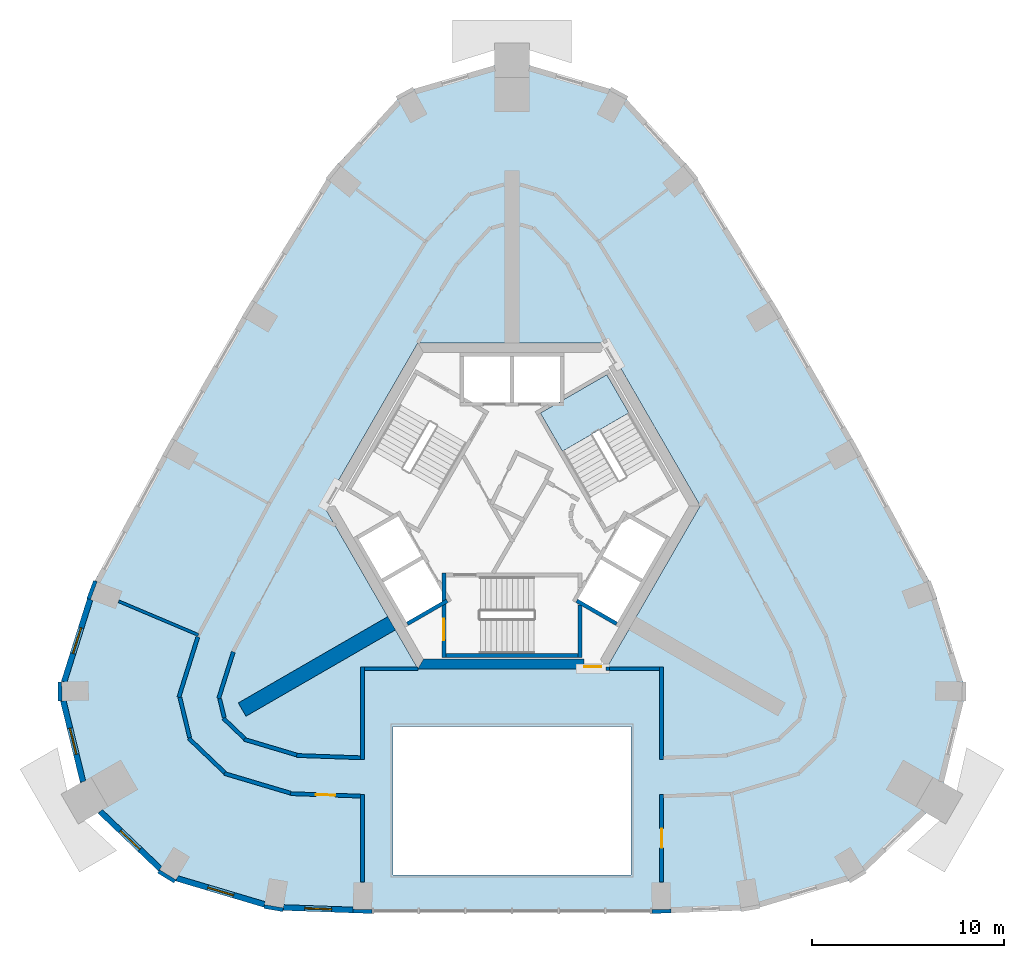
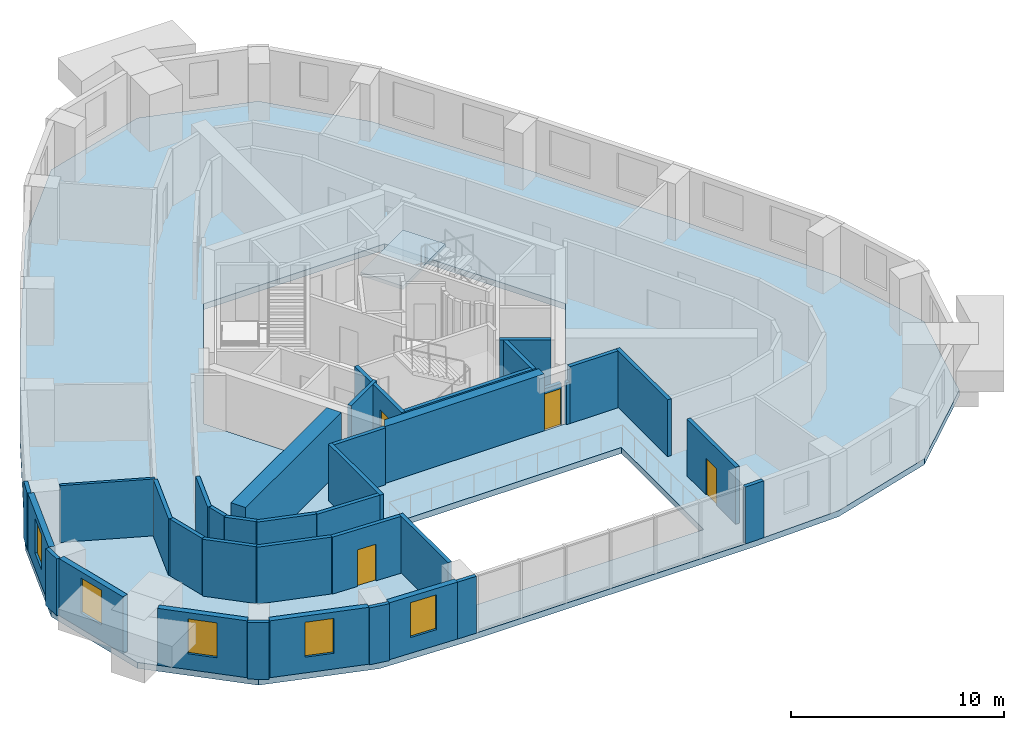
# One storey, part 3 of 9: 37 walls, 5 windows, 4 doors, 2 slabs, 9 openings, 1 element without a shape of its own.
"""IFC4 building model written with IfcOpenShell, lengths in metres."""

from ifc_helpers import new_model, si_unit, direction, frame, frame_2d, origin, place, context, subcontext, project, spatial, polyline, rectangle, outline, extrude, material, layer, layer_set, type_object, element, fill, aggregate, save


model = new_model("IFC4")

# Units and contexts
model_context = context("Model", 3, precision=1e-05, world=origin(), true_north=direction((0.0, 1.0)))
body_context = subcontext(model_context, "Body", "Model", "MODEL_VIEW")
ifc_project = project(units=[si_unit("LENGTHUNIT", "METRE"), si_unit("AREAUNIT", "SQUARE_METRE"), si_unit("VOLUMEUNIT", "CUBIC_METRE"), si_unit("PLANEANGLEUNIT", "RADIAN"), si_unit("MASSUNIT", "GRAM", prefix="KILO")], contexts=[model_context])

# Site, building, storey
site_placement = place(None, origin())
site = spatial("IfcSite", under=ifc_project, at=site_placement, CompositionType="ELEMENT")
building_placement = place(site_placement, origin())
building = spatial("IfcBuilding", under=site, at=building_placement, Name="Entoto Arch Interchange Tower", CompositionType="ELEMENT")
storey_placement = place(building_placement, frame((0.0, 0.0, 315.199951171875)))
storey = spatial("IfcBuildingStorey", under=building, at=storey_placement, Name="L74", CompositionType="ELEMENT", Elevation=315.199951171875)

# Stair, slab
ifc_material_1 = material(Name="Concrete C40/50", Category="concrete")
stair_type = type_object("IfcStairType", Name="EXIT STAIR RC 1800", PredefinedType="HALF_TURN_STAIR", material=ifc_material_1)
stair_placement = place(storey_placement, origin())
stair = element("IfcStair", 1, at=stair_placement, inside=storey, type_object=stair_type, Name="L74 Exit stair NE", PredefinedType="HALF_TURN_STAIR")
ifc_layer_1 = layer(ifc_material_1, 0.199951171875)
ifc_layer_set_1 = layer_set([ifc_layer_1], Name="Concrete C40/50")
slab_type_1 = type_object("IfcSlabType", Name="EXIT STAIR LANDING RC 200", PredefinedType="LANDING", material=ifc_layer_set_1)
slab_1_placement = place(storey_placement, frame((0.0, 0.0, 1.60009765625)))
slab_1 = element("IfcSlab", 2, at=slab_1_placement, type_object=slab_type_1, Name="ST-NE landing 1", PredefinedType="LANDING", context=body_context, shape_type="SweptSolid", body=[
    extrude(outline(polyline([(6.093505859375, 7.345947265625), (4.943359375, 9.337890625), (1.479248046875, 7.337890625), (2.62939453125, 5.345947265625), (6.093505859375, 7.345947265625)])), origin(), (0.0, 0.0, 1.0), 0.199951171875),
])
aggregate(stair, [slab_1])

# Slab
ifc_layer_2 = layer(ifc_material_1, 0.340087890625)
ifc_layer_set_2 = layer_set([ifc_layer_2], Name="Concrete C40/50")
slab_type_2 = type_object("IfcSlabType", Name="Post-tensioned flat plate 340 C40/50", PredefinedType="FLOOR", material=ifc_layer_set_2)
slab_2_placement = place(storey_placement, frame((0.0, 0.0, -0.33984375)))
element("IfcSlab", 3, at=slab_2_placement, inside=storey, type_object=slab_type_2, Name="Floor slab L74", PredefinedType="FLOOR", context=body_context, shape_type="SweptSolid", body=[
    extrude(outline(polyline([(-12.447998046875, -18.5810546875), (-7.800048828125, -18.74609375), (7.800048828125, -18.74609375), (12.447998046875, -18.5810546875), (18.05810546875, -16.910888671875), (22.2890625, -12.868896484375), (23.675048828125, -7.181884765625), (21.99609375, -1.85205078125), (17.990966796875, 5.577880859375), (13.825927734375, 12.7919921875), (9.39404296875, 19.97509765625), (5.616943359375, 24.093994140625), (0.0, 25.737060546875), (-5.616943359375, 24.093994140625), (-9.39404296875, 19.97509765625), (-13.825927734375, 12.7919921875), (-17.990966796875, 5.577880859375), (-21.99609375, -1.85205078125), (-23.675048828125, -7.181884765625), (-22.2890625, -12.868896484375), (-18.05810546875, -16.910888671875), (-12.447998046875, -18.5810546875)]), holes=[polyline([(6.199951171875, -16.74609375), (6.199951171875, -9.0), (-6.199951171875, -9.0), (-6.199951171875, -16.74609375), (6.199951171875, -16.74609375)]), polyline([(9.81494140625, 2.5), (4.906982421875, 11.0), (-4.906982421875, 11.0), (-9.81494140625, 2.5), (-4.906982421875, -6.0), (4.906982421875, -6.0), (9.81494140625, 2.5)])]), origin(), (0.0, 0.0, 1.0), 0.33984375),
])

# Wall
ifc_layer_3 = layer(ifc_material_1, 0.800048828125)
ifc_layer_set_3 = layer_set([ifc_layer_3], Name="Concrete C40/50")
wall_type_1 = type_object("IfcWallType", Name="Buttress wall 800 C40/50", PredefinedType="SHEAR", material=ifc_layer_set_3)
wall_1_placement = place(storey_placement, frame((-6.279052734375, -3.625, -0.33984375), z_axis=(0.0, 0.0, 1.0), x_axis=(-0.866017533419, -0.500013631625, 0.0)))
element("IfcWall", 4, at=wall_1_placement, inside=storey, type_object=wall_type_1, Name="Buttress wall SW L74", PredefinedType="SHEAR", context=body_context, shape_type="SweptSolid", body=[
    extrude(rectangle(XDim=8.999755859375, YDim=0.800048828125, at=frame_2d((4.5, 0.0))), origin(), (0.0, 0.0, 1.0), 3.599853515625),
])

# Wall, opening, door
ifc_material_2 = material(Name="Reinforced concrete C40/50", Category="concrete")
ifc_layer_4 = layer(ifc_material_2, 0.199951171875)
ifc_layer_set_4 = layer_set([ifc_layer_4], Name="Reinforced concrete C40/50")
wall_type_2 = type_object("IfcWallType", Name="CORE GAP INFILL WALL", PredefinedType="PARTITIONING", material=ifc_layer_set_4)
wall_2_placement = place(storey_placement, frame((3.75, -5.89990234375, 0.0), z_axis=(0.0, 0.0, 1.0), x_axis=(1.0, 0.0, 0.0)))
wall_2 = element("IfcWall", 5, at=wall_2_placement, inside=storey, type_object=wall_type_2, Name="wall:L74:gap1", PredefinedType="PARTITIONING", context=body_context, shape_type="SweptSolid", body=[
    extrude(rectangle(XDim=0.926025390625, YDim=0.199951171875, at=frame_2d((0.462890625, 0.0))), origin(), (0.0, 0.0, 1.0), 2.400146484375),
])
opening_1_placement = place(wall_2_placement, frame((0.01708984375, 0.0, 0.0)))
opening_1 = element("IfcOpeningElement", 6, at=opening_1_placement, cuts=wall_2, Name="Opening L74-D91", PredefinedType="OPENING", context=body_context, shape_type="SweptSolid", body=[
    extrude(rectangle(XDim=0.89990234375, YDim=2.10009765625, at=frame_2d((0.449951171875, 1.050048828125))), frame((0.0, 0.10986328125, 0.0), z_axis=(0.0, -1.0, 0.0), x_axis=(1.0, 0.0, 0.0)), (0.0, 0.0, 1.0), 0.219970703125),
])
ifc_material_3 = material(Name="Fire-rated Steel S235 door and frame", Category="steel")
door_type_1 = type_object("IfcDoorType", Name="DOOR FD-09 900x2100", OperationType="SINGLE_SWING_LEFT", PredefinedType="DOOR", material=ifc_material_3)
door_1_placement = place(opening_1_placement, origin())
door_1 = element("IfcDoor", 7, at=door_1_placement, inside=storey, type_object=door_type_1, Name="door:L74:gap1", OperationType="SINGLE_SWING_LEFT", OverallHeight=2.10009765625, OverallWidth=0.89990234375, PredefinedType="DOOR", context=body_context, shape_type="SweptSolid", body=[
    extrude(rectangle(XDim=0.89990234375, YDim=2.10009765625, at=frame_2d((0.449951171875, 1.050048828125))), frame((0.0, 0.02490234375, 0.0), z_axis=(0.0, -1.0, 0.0), x_axis=(1.0, 0.0, 0.0)), (0.0, 0.0, 1.0), 0.050048828125),
])
fill(opening_1, door_1)

# Walls
ifc_layer_5 = layer(ifc_material_1, 0.5)
ifc_layer_set_5 = layer_set([ifc_layer_5], Name="Concrete C40/50")
wall_type_3 = type_object("IfcWallType", Name="Core wall 500 C40/50", PredefinedType="SHEAR", material=ifc_layer_set_5)
wall_3_placement = place(storey_placement, frame((0.0, 0.0, -0.33984375)))
element("IfcWall", 8, at=wall_3_placement, inside=storey, type_object=wall_type_3, Name="Core wall S L74", PredefinedType="SHEAR", context=body_context, shape_type="SweptSolid", body=[
    extrude(outline(polyline([(3.75, -6.0), (3.75, -5.5), (-4.618896484375, -5.5), (-4.906982421875, -6.0), (3.75, -6.0)])), origin(), (0.0, 0.0, 1.0), 3.599853515625),
])
ifc_layer_6 = layer(ifc_material_1, 0.199951171875)
ifc_layer_set_6 = layer_set([ifc_layer_6], Name="Concrete C40/50")
wall_type_4 = type_object("IfcWallType", Name="LIFT SHAFT WALL 200", PredefinedType="STANDARD", material=ifc_layer_set_6)
for number, where, z_axis, x_axis, name in (
    (9, (-3.376953125, -2.451904296875, 0.0), (0.0, 0.0, 1.0), (-0.865955154139, -0.50012165622, 0.0), "Shaft wall SW1 cross 3"),
    (10, (3.376953125, -2.451904296875, 0.0), (0.0, 0.0, 1.0), (0.865955154139, -0.50012165622, 0.0), "Shaft wall SE1 cross 1"),
):
    element("IfcWall", number, at=place(storey_placement, frame(where, z_axis=z_axis, x_axis=x_axis)), inside=storey, type_object=wall_type_4, Name=name, PredefinedType="STANDARD", context=body_context, shape_type="SweptSolid", body=[
        extrude(rectangle(XDim=2.39990234375, YDim=0.199951171875, at=frame_2d((1.199951171875, 0.0))), origin(), (0.0, 0.0, 1.0), 3.260009765625),
    ])
ifc_material_4 = material(Name="Gypsum board partition on steel studs", Category="steel")
ifc_layer_7 = layer(ifc_material_4, 0.14990234375)
ifc_layer_set_7 = layer_set([ifc_layer_7], Name="Gypsum board partition on steel studs")
wall_type_5 = type_object("IfcWallType", Name="PARTITION 150", PredefinedType="PARTITIONING", material=ifc_layer_set_7)
wall_4_placement = place(storey_placement, frame((-16.35205078125, -4.237060546875, 0.0), z_axis=(0.0, 0.0, 1.0), x_axis=(-0.921092849348, 0.389342988738, 0.0)))
element("IfcWall", 11, at=wall_4_placement, inside=storey, type_object=wall_type_5, Name="wall:L74:p074", PredefinedType="PARTITIONING", context=body_context, shape_type="SweptSolid", body=[
    extrude(rectangle(XDim=4.50537109375, YDim=0.14990234375, at=frame_2d((2.252685546875, 0.0))), origin(), (0.0, 0.0, 1.0), 3.260009765625),
])
ifc_layer_8 = layer(ifc_material_4, 0.199951171875)
ifc_layer_set_8 = layer_set([ifc_layer_8], Name="Gypsum board partition on steel studs")
wall_type_6 = type_object("IfcWallType", Name="PARTITION 200", PredefinedType="PARTITIONING", material=ifc_layer_set_8)
wall_5_placement = place(storey_placement, frame((-14.531005859375, -5.114013671875, 0.0), z_axis=(0.0, 0.0, 1.0), x_axis=(-0.300501248013, -0.953781421471, 0.0)))
element("IfcWall", 12, at=wall_5_placement, inside=storey, type_object=wall_type_6, Name="wall:L74:p025", PredefinedType="PARTITIONING", context=body_context, shape_type="SweptSolid", body=[
    extrude(rectangle(XDim=2.55908203125, YDim=0.199951171875, at=frame_2d((1.279541015625, 0.0))), origin(), (0.0, 0.0, 1.0), 3.260009765625),
])
wall_6_placement = place(storey_placement, frame((-15.2470703125, -7.556884765625, 0.0), z_axis=(0.0, 0.0, 1.0), x_axis=(0.237373129266, -0.971418549083, 0.0)))
element("IfcWall", 13, at=wall_6_placement, inside=storey, type_object=wall_type_6, Name="wall:L74:p026", PredefinedType="PARTITIONING", context=body_context, shape_type="SweptSolid", body=[
    extrude(rectangle(XDim=1.0244140625, YDim=0.199951171875, at=frame_2d((0.51220703125, 0.0))), origin(), (0.0, 0.0, 1.0), 3.260009765625),
])
wall_7_placement = place(storey_placement, frame((-15.052978515625, -8.580078125, 0.0), z_axis=(0.0, 0.0, 1.0), x_axis=(0.723283043556, -0.690551691696, 0.0)))
element("IfcWall", 14, at=wall_7_placement, inside=storey, type_object=wall_type_6, Name="wall:L74:p027", PredefinedType="PARTITIONING", context=body_context, shape_type="SweptSolid", body=[
    extrude(rectangle(XDim=1.529052734375, YDim=0.199951171875, at=frame_2d((0.7646484375, 0.0))), origin(), (0.0, 0.0, 1.0), 3.260009765625),
])
wall_8_placement = place(storey_placement, frame((-13.970947265625, -9.676025390625, 0.0), z_axis=(0.0, 0.0, 1.0), x_axis=(0.958417413979, -0.285370041492, 0.0)))
element("IfcWall", 15, at=wall_8_placement, inside=storey, type_object=wall_type_6, Name="wall:L74:p028", PredefinedType="PARTITIONING", context=body_context, shape_type="SweptSolid", body=[
    extrude(rectangle(XDim=2.865966796875, YDim=0.199951171875, at=frame_2d((1.43310546875, 0.0))), origin(), (0.0, 0.0, 1.0), 3.260009765625),
])
wall_9_placement = place(storey_placement, frame((-11.22802734375, -10.51904296875, 0.0), z_axis=(0.0, 0.0, 1.0), x_axis=(0.999372900517, -0.035409119054, 0.0)))
element("IfcWall", 16, at=wall_9_placement, inside=storey, type_object=wall_type_6, Name="wall:L74:p029", PredefinedType="PARTITIONING", context=body_context, shape_type="SweptSolid", body=[
    extrude(rectangle(XDim=3.330322265625, YDim=0.199951171875, at=frame_2d((1.6650390625, 0.0))), origin(), (0.0, 0.0, 1.0), 3.260009765625),
])

# Wall, opening, door
wall_10_placement = place(storey_placement, frame((-7.89990234375, -12.638916015625, 0.0), z_axis=(0.0, 0.0, 1.0), x_axis=(-0.999368879246, 0.035522432268, 0.0)))
wall_10 = element("IfcWall", 17, at=wall_10_placement, inside=storey, type_object=wall_type_6, Name="wall:L74:p045", PredefinedType="PARTITIONING", context=body_context, shape_type="SweptSolid", body=[
    extrude(rectangle(XDim=3.65625, YDim=0.199951171875, at=frame_2d((1.828125, 0.0))), origin(), (0.0, 0.0, 1.0), 3.260009765625),
])
opening_2_placement = place(wall_10_placement, frame((1.327880859375, 0.0, 0.0)))
opening_2 = element("IfcOpeningElement", 18, at=opening_2_placement, cuts=wall_10, Name="Opening L74-D07", PredefinedType="OPENING", context=body_context, shape_type="SweptSolid", body=[
    extrude(rectangle(XDim=1.0, YDim=2.10009765625, at=frame_2d((0.5, 1.050048828125))), frame((0.0, 0.10986328125, 0.0), z_axis=(0.0, -1.0, 0.0), x_axis=(1.0, 0.0, 0.0)), (0.0, 0.0, 1.0), 0.219970703125),
])
ifc_material_5 = material(Name="Timber door leaf in Steel S235 frame", Category="steel")
door_type_2 = type_object("IfcDoorType", Name="DOOR DS-10 1000x2100", OperationType="SINGLE_SWING_LEFT", PredefinedType="DOOR", material=ifc_material_5)
door_2_placement = place(opening_2_placement, origin())
door_2 = element("IfcDoor", 19, at=door_2_placement, inside=storey, type_object=door_type_2, Name="door:L74:07", OperationType="SINGLE_SWING_LEFT", OverallHeight=2.10009765625, OverallWidth=1.0, PredefinedType="DOOR", context=body_context, shape_type="SweptSolid", body=[
    extrude(rectangle(XDim=1.0, YDim=2.10009765625, at=frame_2d((0.5, 1.050048828125))), frame((0.0, 0.02490234375, 0.0), z_axis=(0.0, -1.0, 0.0), x_axis=(1.0, 0.0, 0.0)), (0.0, 0.0, 1.0), 0.050048828125),
])
fill(opening_2, door_2)

# Walls
wall_11_placement = place(storey_placement, frame((-11.550048828125, -12.48388671875, 0.0), z_axis=(0.0, 0.0, 1.0), x_axis=(-0.958459796003, 0.285227662485, 0.0)))
element("IfcWall", 20, at=wall_11_placement, inside=storey, type_object=wall_type_6, Name="wall:L74:p046", PredefinedType="PARTITIONING", context=body_context, shape_type="SweptSolid", body=[
    extrude(rectangle(XDim=3.603515625, YDim=0.199951171875, at=frame_2d((1.8017578125, 0.0))), origin(), (0.0, 0.0, 1.0), 3.260009765625),
])
wall_12_placement = place(storey_placement, frame((-14.97998046875, -11.4150390625, 0.0), z_axis=(0.0, 0.0, 1.0), x_axis=(-0.723099256445, 0.690744138831, 0.0)))
element("IfcWall", 21, at=wall_12_placement, inside=storey, type_object=wall_type_6, Name="wall:L74:p047", PredefinedType="PARTITIONING", context=body_context, shape_type="SweptSolid", body=[
    extrude(rectangle(XDim=2.595703125, YDim=0.199951171875, at=frame_2d((1.2978515625, 0.0))), origin(), (0.0, 0.0, 1.0), 3.260009765625),
])
wall_13_placement = place(storey_placement, frame((-16.80908203125, -9.593994140625, 0.0), z_axis=(0.0, 0.0, 1.0), x_axis=(-0.23664760587, 0.971595548897, 0.0)))
element("IfcWall", 22, at=wall_13_placement, inside=storey, type_object=wall_type_6, Name="wall:L74:p048", PredefinedType="PARTITIONING", context=body_context, shape_type="SweptSolid", body=[
    extrude(rectangle(XDim=2.16748046875, YDim=0.199951171875, at=frame_2d((1.083740234375, 0.0))), origin(), (0.0, 0.0, 1.0), 3.260009765625),
])
wall_14_placement = place(storey_placement, frame((-17.375, -7.487060546875, 0.0), z_axis=(0.0, 0.0, 1.0), x_axis=(0.300195088058, 0.953877827138, 0.0)))
element("IfcWall", 23, at=wall_14_placement, inside=storey, type_object=wall_type_6, Name="wall:L74:p049", PredefinedType="PARTITIONING", context=body_context, shape_type="SweptSolid", body=[
    extrude(rectangle(XDim=3.3076171875, YDim=0.199951171875, at=frame_2d((1.65380859375, 0.0))), origin(), (0.0, 0.0, 1.0), 3.260009765625),
])
wall_15_placement = place(storey_placement, frame((4.907958984375, -5.9990234375, 0.0), z_axis=(0.0, 0.0, 1.0), x_axis=(1.0, 0.0, 0.0)))
element("IfcWall", 24, at=wall_15_placement, inside=storey, type_object=wall_type_6, Name="wall:L74:p062", PredefinedType="PARTITIONING", context=body_context, shape_type="SweptSolid", body=[
    extrude(rectangle(XDim=0.16796875, YDim=0.199951171875, at=frame_2d((0.083984375, 0.0))), origin(), (0.0, 0.0, 1.0), 2.400146484375),
])
for number, where, z_axis, x_axis, name in (
    (25, (7.800048828125, -5.89892578125, 0.0), (0.0, 0.0, 1.0), (0.0, -1.0, 0.0), "wall:L74:p063"),
    (26, (-7.800048828125, -10.740966796875, 0.0), (0.0, 0.0, 1.0), (0.0, 1.0, 0.0), "wall:L74:p064"),
):
    element("IfcWall", number, at=place(storey_placement, frame(where, z_axis=z_axis, x_axis=x_axis)), inside=storey, type_object=wall_type_6, Name=name, PredefinedType="PARTITIONING", context=body_context, shape_type="SweptSolid", body=[
        extrude(rectangle(XDim=4.842041015625, YDim=0.199951171875, at=frame_2d((2.4208984375, 0.0))), origin(), (0.0, 0.0, 1.0), 3.260009765625),
    ])
wall_16_placement = place(storey_placement, frame((-7.699951171875, -5.9990234375, 0.0), z_axis=(0.0, 0.0, 1.0), x_axis=(1.0, 0.0, 0.0)))
element("IfcWall", 27, at=wall_16_placement, inside=storey, type_object=wall_type_6, Name="wall:L74:p065", PredefinedType="PARTITIONING", context=body_context, shape_type="SweptSolid", body=[
    extrude(rectangle(XDim=2.7919921875, YDim=0.199951171875, at=frame_2d((1.39599609375, 0.0))), origin(), (0.0, 0.0, 1.0), 3.260009765625),
])

# Wall, opening, door
wall_17_placement = place(storey_placement, frame((7.800048828125, -12.5419921875, 0.0), z_axis=(0.0, 0.0, 1.0), x_axis=(0.0, -1.0, 0.0)))
wall_17 = element("IfcWall", 28, at=wall_17_placement, inside=storey, type_object=wall_type_6, Name="wall:L74:p066", PredefinedType="PARTITIONING", context=body_context, shape_type="SweptSolid", body=[
    extrude(rectangle(XDim=4.583984375, YDim=0.199951171875, at=frame_2d((2.2919921875, 0.0))), origin(), (0.0, 0.0, 1.0), 3.260009765625),
])
opening_3_placement = place(wall_17_placement, frame((1.7919921875, 0.0, 0.0)))
opening_3 = element("IfcOpeningElement", 29, at=opening_3_placement, cuts=wall_17, Name="Opening L74-D01", PredefinedType="OPENING", context=body_context, shape_type="SweptSolid", body=[
    extrude(rectangle(XDim=1.0, YDim=2.10009765625, at=frame_2d((0.5, 1.050048828125))), frame((0.0, 0.10986328125, 0.0), z_axis=(0.0, -1.0, 0.0), x_axis=(1.0, 0.0, 0.0)), (0.0, 0.0, 1.0), 0.219970703125),
])
door_3_placement = place(opening_3_placement, origin())
door_3 = element("IfcDoor", 30, at=door_3_placement, inside=storey, type_object=door_type_2, Name="door:L74:01", OperationType="SINGLE_SWING_LEFT", OverallHeight=2.10009765625, OverallWidth=1.0, PredefinedType="DOOR", context=body_context, shape_type="SweptSolid", body=[
    extrude(rectangle(XDim=1.0, YDim=2.10009765625, at=frame_2d((0.5, 1.050048828125))), frame((0.0, 0.02490234375, 0.0), z_axis=(0.0, -1.0, 0.0), x_axis=(1.0, 0.0, 0.0)), (0.0, 0.0, 1.0), 0.050048828125),
])
fill(opening_3, door_3)

# Walls
wall_18_placement = place(storey_placement, frame((-7.800048828125, -17.1259765625, 0.0), z_axis=(0.0, 0.0, 1.0), x_axis=(0.0, 1.0, 0.0)))
element("IfcWall", 31, at=wall_18_placement, inside=storey, type_object=wall_type_6, Name="wall:L74:p067", PredefinedType="PARTITIONING", context=body_context, shape_type="SweptSolid", body=[
    extrude(rectangle(XDim=4.583984375, YDim=0.199951171875, at=frame_2d((2.2919921875, 0.0))), origin(), (0.0, 0.0, 1.0), 3.260009765625),
])
wall_19_placement = place(storey_placement, frame((5.075927734375, -5.9990234375, 0.0), z_axis=(0.0, 0.0, 1.0), x_axis=(1.0, 0.0, 0.0)))
element("IfcWall", 32, at=wall_19_placement, inside=storey, type_object=wall_type_6, Name="wall:L74:p062", PredefinedType="PARTITIONING", context=body_context, shape_type="SweptSolid", body=[
    extrude(rectangle(XDim=2.6240234375, YDim=0.199951171875, at=frame_2d((1.31201171875, 0.0))), origin(), (0.0, 0.0, 1.0), 3.260009765625),
])

# Wall, opening, door
ifc_layer_9 = layer(ifc_material_1, 0.199951171875)
ifc_layer_set_9 = layer_set([ifc_layer_9], Name="Concrete C40/50")
wall_type_7 = type_object("IfcWallType", Name="STAIR ENCLOSURE WALL 200", PredefinedType="STANDARD", material=ifc_layer_set_9)
wall_20_placement = place(storey_placement, frame((-3.550048828125, -1.0, 0.0), z_axis=(0.0, 0.0, 1.0), x_axis=(0.0, -1.0, 0.0)))
wall_20 = element("IfcWall", 33, at=wall_20_placement, inside=storey, type_object=wall_type_7, Name="Stair wall ST-S near", PredefinedType="STANDARD", context=body_context, shape_type="SweptSolid", body=[
    extrude(rectangle(XDim=4.39990234375, YDim=0.199951171875, at=frame_2d((2.199951171875, 0.0))), origin(), (0.0, 0.0, 1.0), 3.260009765625),
])
opening_4_placement = place(wall_20_placement, frame((2.39990234375, 0.0, 0.0)))
opening_4 = element("IfcOpeningElement", 34, at=opening_4_placement, cuts=wall_20, Name="Opening SD-ST-S-L74-E", PredefinedType="OPENING", context=body_context, shape_type="SweptSolid", body=[
    extrude(rectangle(XDim=1.10009765625, YDim=2.199951171875, at=frame_2d((0.550048828125, 1.10009765625))), frame((0.0, 0.10986328125, 0.0), z_axis=(0.0, -1.0, 0.0), x_axis=(1.0, 0.0, 0.0)), (0.0, 0.0, 1.0), 0.219970703125),
])
ifc_material_6 = material(Name="Steel S235", Category="steel")
door_type_3 = type_object("IfcDoorType", Name="STAIR DOOR SD1 1100x2200", OperationType="SINGLE_SWING_LEFT", PredefinedType="DOOR", material=ifc_material_6)
door_4_placement = place(opening_4_placement, origin())
door_4 = element("IfcDoor", 35, at=door_4_placement, inside=storey, type_object=door_type_3, Name="Stair door ST-S L74 end", OperationType="SINGLE_SWING_LEFT", OverallHeight=2.199951171875, OverallWidth=1.10009765625, PredefinedType="DOOR", context=body_context, shape_type="SweptSolid", body=[
    extrude(rectangle(XDim=1.10009765625, YDim=2.199951171875, at=frame_2d((0.550048828125, 1.10009765625))), frame((0.0, 0.02490234375, 0.0), z_axis=(0.0, -1.0, 0.0), x_axis=(1.0, 0.0, 0.0)), (0.0, 0.0, 1.0), 0.050048828125),
])
fill(opening_4, door_4)

# Walls
wall_21_placement = place(storey_placement, frame((3.550048828125, -2.6669921875, 0.0), z_axis=(0.0, 0.0, 1.0), x_axis=(0.0, -1.0, 0.0)))
element("IfcWall", 36, at=wall_21_placement, inside=storey, type_object=wall_type_7, Name="Stair wall ST-S far", PredefinedType="STANDARD", context=body_context, shape_type="SweptSolid", body=[
    extrude(rectangle(XDim=2.73291015625, YDim=0.199951171875, at=frame_2d((1.366455078125, 0.0))), origin(), (0.0, 0.0, 1.0), 3.260009765625),
])
wall_22_placement = place(storey_placement, frame((-3.449951171875, -5.300048828125, 0.0), z_axis=(0.0, 0.0, 1.0), x_axis=(1.0, 0.0, 0.0)))
element("IfcWall", 37, at=wall_22_placement, inside=storey, type_object=wall_type_7, Name="Stair wall ST-S back", PredefinedType="STANDARD", context=body_context, shape_type="SweptSolid", body=[
    extrude(rectangle(XDim=6.89990234375, YDim=0.199951171875, at=frame_2d((3.449951171875, 0.0))), origin(), (0.0, 0.0, 1.0), 3.260009765625),
])

# Wall, opening, window
ifc_material_7 = material(Name="Welded tuff (ignimbrite) cladding, warm buff", Category="masonry")
ifc_layer_10 = layer(ifc_material_7, 0.300048828125)
ifc_layer_set_10 = layer_set([ifc_layer_10], Name="Welded tuff (ignimbrite) cladding, warm buff")
wall_type_8 = type_object("IfcWallType", Name="STONE INFILL WALL 300", PredefinedType="STANDARD", material=ifc_layer_set_10)
wall_23_placement = place(storey_placement, frame((-11.9189453125, -18.449951171875, 0.0), z_axis=(0.0, 0.0, 1.0), x_axis=(0.999377185233, -0.035287981473, 0.0)))
wall_23 = element("IfcWall", 38, at=wall_23_placement, inside=storey, type_object=wall_type_8, Name="Facade wall S-01 L74", PredefinedType="STANDARD", context=body_context, shape_type="SweptSolid", body=[
    extrude(rectangle(XDim=3.625244140625, YDim=0.300048828125, at=frame_2d((1.8125, 0.0))), origin(), (0.0, 0.0, 1.0), 3.260009765625),
])
opening_5_placement = place(wall_23_placement, frame((1.113037109375, 0.0, 0.89990234375)))
opening_5 = element("IfcOpeningElement", 39, at=opening_5_placement, cuts=wall_23, Name="Opening WH-B", PredefinedType="OPENING", context=body_context, shape_type="SweptSolid", body=[
    extrude(rectangle(XDim=1.39990234375, YDim=2.0, at=frame_2d((0.699951171875, 1.0))), frame((0.0, 0.16015625, 0.0), z_axis=(0.0, -1.0, 0.0), x_axis=(1.0, 0.0, 0.0)), (0.0, 0.0, 1.0), 0.320068359375),
])
ifc_material_8 = material(Name="Clear glass, low-e double glazed", Category="glass")
window_type = type_object("IfcWindowType", Name="WINDOW WH-B 1400x2000", PartitioningType="DOUBLE_PANEL_VERTICAL", PredefinedType="WINDOW", material=ifc_material_8)
window_1_placement = place(opening_5_placement, origin())
window_1 = element("IfcWindow", 40, at=window_1_placement, inside=storey, type_object=window_type, Name="Window WH-B S-01 L74", OverallHeight=2.0, OverallWidth=1.39990234375, PartitioningType="SINGLE_PANEL", PredefinedType="WINDOW", context=body_context, shape_type="SweptSolid", body=[
    extrude(rectangle(XDim=1.39990234375, YDim=2.0, at=frame_2d((0.699951171875, 1.0))), frame((0.0, 0.030029296875, 0.0), z_axis=(0.0, -1.0, 0.0), x_axis=(1.0, 0.0, 0.0)), (0.0, 0.0, 1.0), 0.06005859375),
])
fill(opening_5, window_1)

wall_24_placement = place(storey_placement, frame((-22.0048828125, -2.381103515625, 0.0), z_axis=(0.0, 0.0, 1.0), x_axis=(-0.300534385574, -0.953770980418, 0.0)))
wall_24 = element("IfcWall", 41, at=wall_24_placement, inside=storey, type_object=wall_type_8, Name="Facade wall SW-01 L74", PredefinedType="STANDARD", context=body_context, shape_type="SweptSolid", body=[
    extrude(rectangle(XDim=4.501953125, YDim=0.300048828125, at=frame_2d((2.2509765625, 0.0))), origin(), (0.0, 0.0, 1.0), 3.260009765625),
])
opening_6_placement = place(wall_24_placement, frame((1.551025390625, 0.0, 0.89990234375)))
opening_6 = element("IfcOpeningElement", 42, at=opening_6_placement, cuts=wall_24, Name="Opening WH-B", PredefinedType="OPENING", context=body_context, shape_type="SweptSolid", body=[
    extrude(rectangle(XDim=1.39990234375, YDim=2.0, at=frame_2d((0.699951171875, 1.0))), frame((0.0, 0.16015625, 0.0), z_axis=(0.0, -1.0, 0.0), x_axis=(1.0, 0.0, 0.0)), (0.0, 0.0, 1.0), 0.320068359375),
])
window_2_placement = place(opening_6_placement, origin())
window_2 = element("IfcWindow", 43, at=window_2_placement, inside=storey, type_object=window_type, Name="Window WH-B SW-01 L74", OverallHeight=2.0, OverallWidth=1.39990234375, PartitioningType="SINGLE_PANEL", PredefinedType="WINDOW", context=body_context, shape_type="SweptSolid", body=[
    extrude(rectangle(XDim=1.39990234375, YDim=2.0, at=frame_2d((0.699951171875, 1.0))), frame((0.0, 0.030029296875, 0.0), z_axis=(0.0, -1.0, 0.0), x_axis=(1.0, 0.0, 0.0)), (0.0, 0.0, 1.0), 0.06005859375),
])
fill(opening_6, window_2)

wall_25_placement = place(storey_placement, frame((-23.40087890625, -7.675048828125, 0.0), z_axis=(0.0, 0.0, 1.0), x_axis=(0.236958776561, -0.971519705519, 0.0)))
wall_25 = element("IfcWall", 44, at=wall_25_placement, inside=storey, type_object=wall_type_8, Name="Facade wall SW-02 L74", PredefinedType="STANDARD", context=body_context, shape_type="SweptSolid", body=[
    extrude(rectangle(XDim=4.329345703125, YDim=0.300048828125, at=frame_2d((2.16455078125, 0.0))), origin(), (0.0, 0.0, 1.0), 3.260009765625),
])
opening_7_placement = place(wall_25_placement, frame((1.465087890625, 0.0, 0.89990234375)))
opening_7 = element("IfcOpeningElement", 45, at=opening_7_placement, cuts=wall_25, Name="Opening WH-B", PredefinedType="OPENING", context=body_context, shape_type="SweptSolid", body=[
    extrude(rectangle(XDim=1.39990234375, YDim=2.0, at=frame_2d((0.699951171875, 1.0))), frame((0.0, 0.16015625, 0.0), z_axis=(0.0, -1.0, 0.0), x_axis=(1.0, 0.0, 0.0)), (0.0, 0.0, 1.0), 0.320068359375),
])
window_3_placement = place(opening_7_placement, origin())
window_3 = element("IfcWindow", 46, at=window_3_placement, inside=storey, type_object=window_type, Name="Window WH-B SW-02 L74", OverallHeight=2.0, OverallWidth=1.39990234375, PartitioningType="SINGLE_PANEL", PredefinedType="WINDOW", context=body_context, shape_type="SweptSolid", body=[
    extrude(rectangle(XDim=1.39990234375, YDim=2.0, at=frame_2d((0.699951171875, 1.0))), frame((0.0, 0.030029296875, 0.0), z_axis=(0.0, -1.0, 0.0), x_axis=(1.0, 0.0, 0.0)), (0.0, 0.0, 1.0), 0.06005859375),
])
fill(opening_7, window_3)

wall_26_placement = place(storey_placement, frame((-21.47607421875, -13.43798828125, 0.0), z_axis=(0.0, 0.0, 1.0), x_axis=(0.723113419412, -0.690729312152, 0.0)))
wall_26 = element("IfcWall", 47, at=wall_26_placement, inside=storey, type_object=wall_type_8, Name="Facade wall SW-03 L74", PredefinedType="STANDARD", context=body_context, shape_type="SweptSolid", body=[
    extrude(rectangle(XDim=4.327392578125, YDim=0.300048828125, at=frame_2d((2.16357421875, 0.0))), origin(), (0.0, 0.0, 1.0), 3.260009765625),
])
opening_8_placement = place(wall_26_placement, frame((1.464111328125, 0.0, 0.89990234375)))
opening_8 = element("IfcOpeningElement", 48, at=opening_8_placement, cuts=wall_26, Name="Opening WH-B", PredefinedType="OPENING", context=body_context, shape_type="SweptSolid", body=[
    extrude(rectangle(XDim=1.39990234375, YDim=2.0, at=frame_2d((0.699951171875, 1.0))), frame((0.0, 0.16015625, 0.0), z_axis=(0.0, -1.0, 0.0), x_axis=(1.0, 0.0, 0.0)), (0.0, 0.0, 1.0), 0.320068359375),
])
window_4_placement = place(opening_8_placement, origin())
window_4 = element("IfcWindow", 49, at=window_4_placement, inside=storey, type_object=window_type, Name="Window WH-B SW-03 L74", OverallHeight=2.0, OverallWidth=1.39990234375, PartitioningType="SINGLE_PANEL", PredefinedType="WINDOW", context=body_context, shape_type="SweptSolid", body=[
    extrude(rectangle(XDim=1.39990234375, YDim=2.0, at=frame_2d((0.699951171875, 1.0))), frame((0.0, 0.030029296875, 0.0), z_axis=(0.0, -1.0, 0.0), x_axis=(1.0, 0.0, 0.0)), (0.0, 0.0, 1.0), 0.06005859375),
])
fill(opening_8, window_4)

wall_27_placement = place(storey_placement, frame((-17.48193359375, -16.926025390625, 0.0), z_axis=(0.0, 0.0, 1.0), x_axis=(0.95841929886, -0.285363711031, 0.0)))
wall_27 = element("IfcWall", 50, at=wall_27_placement, inside=storey, type_object=wall_type_8, Name="Facade wall SW-04 L74", PredefinedType="STANDARD", context=body_context, shape_type="SweptSolid", body=[
    extrude(rectangle(XDim=4.776611328125, YDim=0.300048828125, at=frame_2d((2.38818359375, 0.0))), origin(), (0.0, 0.0, 1.0), 3.260009765625),
])
opening_9_placement = place(wall_27_placement, frame((1.68798828125, 0.0, 0.89990234375)))
opening_9 = element("IfcOpeningElement", 51, at=opening_9_placement, cuts=wall_27, Name="Opening WH-B", PredefinedType="OPENING", context=body_context, shape_type="SweptSolid", body=[
    extrude(rectangle(XDim=1.39990234375, YDim=2.0, at=frame_2d((0.699951171875, 1.0))), frame((0.0, 0.16015625, 0.0), z_axis=(0.0, -1.0, 0.0), x_axis=(1.0, 0.0, 0.0)), (0.0, 0.0, 1.0), 0.320068359375),
])
window_5_placement = place(opening_9_placement, origin())
window_5 = element("IfcWindow", 52, at=window_5_placement, inside=storey, type_object=window_type, Name="Window WH-B SW-04 L74", OverallHeight=2.0, OverallWidth=1.39990234375, PartitioningType="SINGLE_PANEL", PredefinedType="WINDOW", context=body_context, shape_type="SweptSolid", body=[
    extrude(rectangle(XDim=1.39990234375, YDim=2.0, at=frame_2d((0.699951171875, 1.0))), frame((0.0, 0.030029296875, 0.0), z_axis=(0.0, -1.0, 0.0), x_axis=(1.0, 0.0, 0.0)), (0.0, 0.0, 1.0), 0.06005859375),
])
fill(opening_9, window_5)

# Walls
ifc_layer_11 = layer(ifc_material_7, 0.199951171875)
ifc_layer_set_11 = layer_set([ifc_layer_11], Name="Welded tuff (ignimbrite) cladding, warm buff")
wall_type_9 = type_object("IfcWallType", Name="STONE PIER CLADDING 200", PredefinedType="STANDARD", material=ifc_layer_set_11)
wall_28_placement = place(storey_placement, frame((-21.72705078125, -1.4189453125, 0.0), z_axis=(0.0, 0.0, 1.0), x_axis=(-0.350962844851, -0.936389385637, 0.0)))
element("IfcWall", 53, at=wall_28_placement, inside=storey, type_object=wall_type_9, Name="Stone pier NW04 L74", PredefinedType="STANDARD", context=body_context, shape_type="SweptSolid", body=[
    extrude(rectangle(XDim=0.99951171875, YDim=0.199951171875, at=frame_2d((0.499755859375, 0.0))), origin(), (0.0, 0.0, 1.0), 3.260009765625),
])
for number, where, z_axis, x_axis, name in (
    (54, (-12.924072265625, -18.39794921875, 0.0), (0.0, 0.0, 1.0), (0.985800545746, -0.167920469293, 0.0), "Stone pier S01 L74"),
    (55, (-8.298095703125, -18.635986328125, 0.0), (0.0, 0.0, 1.0), (0.999799669399, -0.020015520725, 0.0), "Stone pier S02 L74"),
    (56, (7.298095703125, -18.656005859375, 0.0), (0.0, 0.0, 1.0), (0.999799669399, 0.020015520725, 0.0), "Stone pier S03 L74"),
):
    element("IfcWall", number, at=place(storey_placement, frame(where, z_axis=z_axis, x_axis=x_axis)), inside=storey, type_object=wall_type_9, Name=name, PredefinedType="STANDARD", context=body_context, shape_type="SweptSolid", body=[
        extrude(rectangle(XDim=1.000244140625, YDim=0.199951171875, at=frame_2d((0.5, 0.0))), origin(), (0.0, 0.0, 1.0), 3.260009765625),
    ])
wall_29_placement = place(storey_placement, frame((-23.5869140625, -6.679931640625, 0.0), z_axis=(0.0, 0.0, 1.0), x_axis=(0.023942303888, -0.999713341956, 0.0)))
element("IfcWall", 57, at=wall_29_placement, inside=storey, type_object=wall_type_9, Name="Stone pier SW1 L74", PredefinedType="STANDARD", context=body_context, shape_type="SweptSolid", body=[
    extrude(rectangle(XDim=0.999267578125, YDim=0.199951171875, at=frame_2d((0.49951171875, 0.0))), origin(), (0.0, 0.0, 1.0), 3.260009765625),
])
wall_30_placement = place(storey_placement, frame((-18.43310546875, -16.56494140625, 0.0), z_axis=(0.0, 0.0, 1.0), x_axis=(0.853679739553, -0.520798331677, 0.0)))
element("IfcWall", 58, at=wall_30_placement, inside=storey, type_object=wall_type_9, Name="Stone pier SW3 L74", PredefinedType="STANDARD", context=body_context, shape_type="SweptSolid", body=[
    extrude(rectangle(XDim=1.00048828125, YDim=0.199951171875, at=frame_2d((0.500244140625, 0.0))), origin(), (0.0, 0.0, 1.0), 3.260009765625),
])

save(model, "model.ifc")
